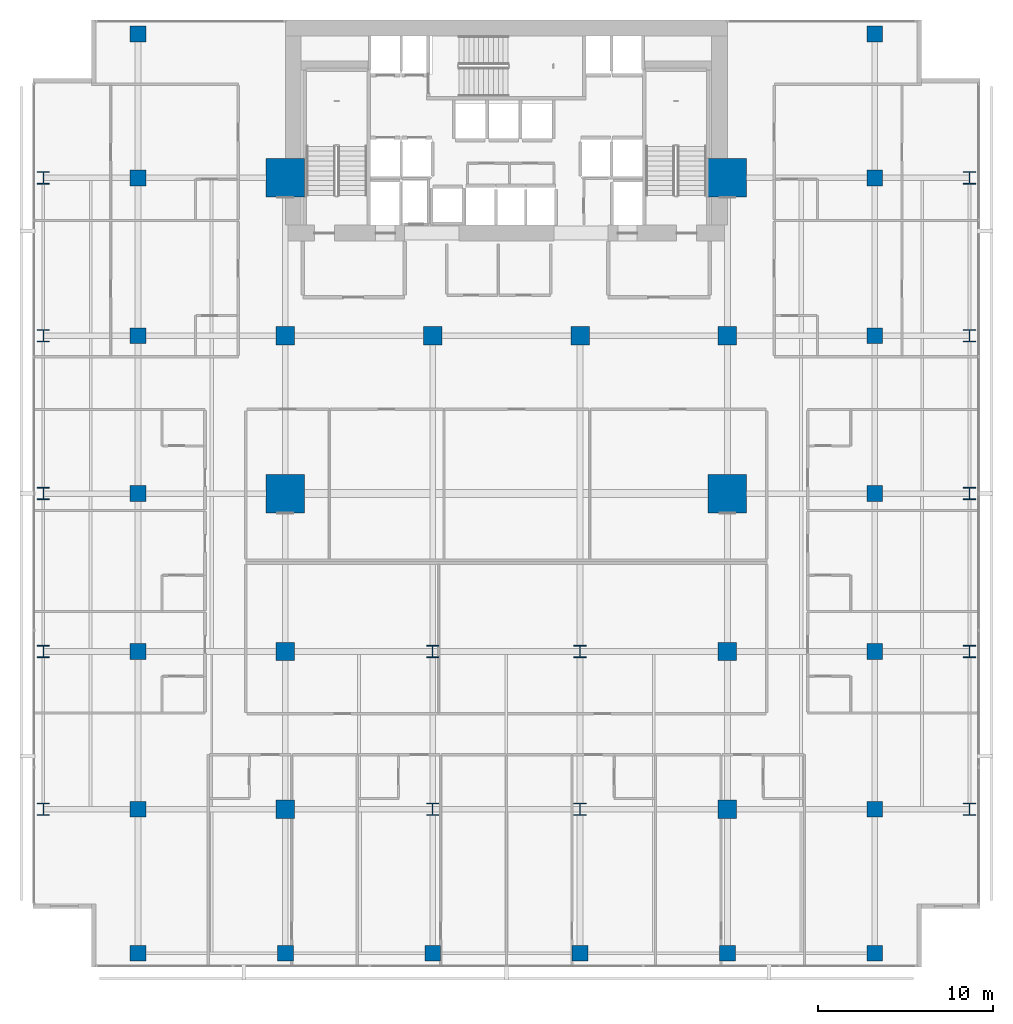
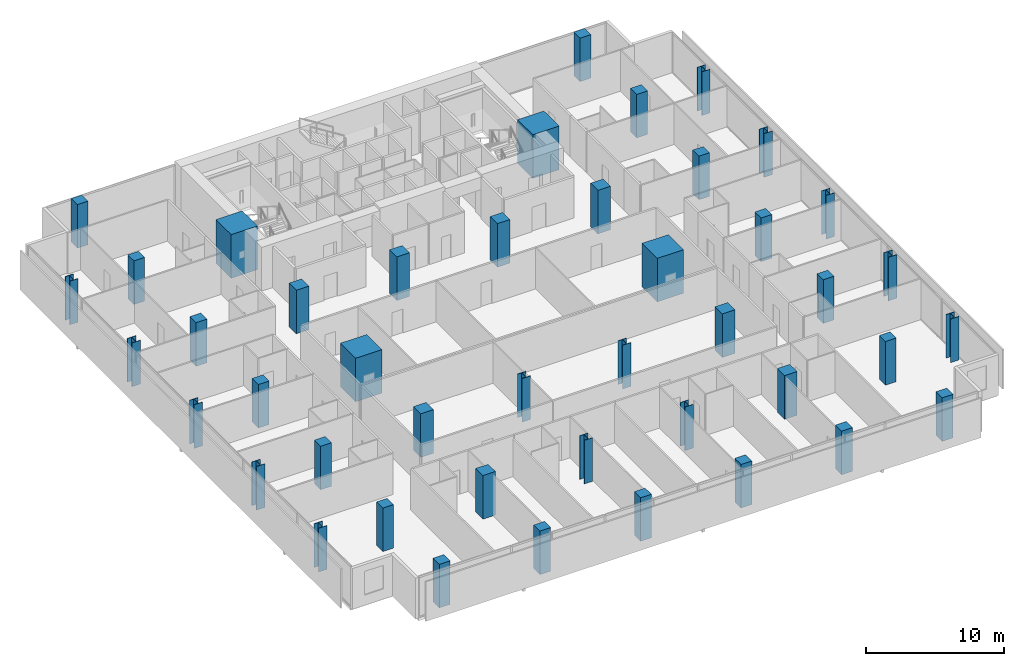
# One storey, part 1 of 40: 44 columns.
"""IFC4 building model written with IfcOpenShell, lengths in metres."""

import ifcopenshell
import ifcopenshell.guid

model = None  # the IFC model being written
_history = None  # IfcOwnerHistory: only IFC2X3 demands one
_inside = {}  # id of a spatial element -> (the spatial element, [elements in it])
_under = {}  # id of a project, library or spatial element -> (it, [spatial elements below it])
_declared = {}  # id of a project -> (the project, [libraries it declares])
_typed = {}  # id of a type object -> (the type object, [elements of that type])
_made_of = {}  # id of a material, layer set ... -> (it, [elements and type objects made of it])


def new_model(schema):
    """Start an empty IFC model of exactly this schema.

    Asked for "IFC4X3", IfcOpenShell would pick the latest addendum, in which some entities
    have other attributes; the version numbers below select the first issue.
    IFC2X3 requires an IfcOwnerHistory on every rooted entity: one is made here for all.
    """
    global model, _history
    if schema == "IFC4X3":
        model = ifcopenshell.file(schema_version=(4, 3, 0, 0))
    else:
        model = ifcopenshell.file(schema=schema)
    _inside.clear()
    _under.clear()
    _declared.clear()
    _typed.clear()
    _made_of.clear()
    _history = None
    if model.schema == "IFC2X3":
        org = make("IfcOrganization", Name="unknown")
        user = make(
            "IfcPersonAndOrganization",
            ThePerson=make("IfcPerson", FamilyName="unknown"),
            TheOrganization=org,
        )
        app = make(
            "IfcApplication",
            ApplicationDeveloper=org,
            Version="unknown",
            ApplicationFullName="unknown",
            ApplicationIdentifier="unknown",
        )
        _history = make(
            "IfcOwnerHistory",
            OwningUser=user,
            OwningApplication=app,
            ChangeAction="ADDED",
            CreationDate=0,
        )
    return model


def make(cls, **values):
    """One entity of the class cls with the attributes given. An attribute that is None is left unset."""
    return model.create_entity(
        cls, **{name: value for name, value in values.items() if value is not None}
    )


def rooted(cls, **values):
    """An entity with a GlobalId (a new one), such as an element, a storey or a relation."""
    return make(cls, GlobalId=ifcopenshell.guid.new(), OwnerHistory=_history, **values)


def si_unit(unit_type, name, prefix=None):
    """IfcSIUnit, for example si_unit("LENGTHUNIT", "METRE", prefix="MILLI")."""
    return make("IfcSIUnit", UnitType=unit_type, Prefix=prefix, Name=name)


def assignment(units):
    """IfcUnitAssignment: the units of a project."""
    return None if units is None else make("IfcUnitAssignment", Units=units)


def point(xyz):
    """IfcCartesianPoint."""
    return None if xyz is None else make("IfcCartesianPoint", Coordinates=xyz)


def direction(xyz):
    """IfcDirection."""
    return None if xyz is None else make("IfcDirection", DirectionRatios=xyz)


def frame(location, z_axis=None, x_axis=None):
    """IfcAxis2Placement3D, a coordinate frame: its origin and axes. An axis left out is left unset."""
    return make(
        "IfcAxis2Placement3D",
        Location=point(location),
        Axis=direction(z_axis),
        RefDirection=direction(x_axis),
    )


def frame_2d(location, x_axis=None):
    """IfcAxis2Placement2D, a coordinate frame in the plane: its origin and x axis."""
    return make(
        "IfcAxis2Placement2D", Location=point(location), RefDirection=direction(x_axis)
    )


def origin():
    """The frame at (0, 0, 0) with its axes left unset."""
    return frame((0.0, 0.0, 0.0))


def origin_2d():
    """The frame at (0, 0) in the plane with its x axis left unset."""
    return frame_2d((0.0, 0.0))


def place(relative_to, where):
    """IfcLocalPlacement: puts the frame where relative to a parent placement (None: the world)."""
    return make(
        "IfcLocalPlacement", PlacementRelTo=relative_to, RelativePlacement=where
    )


def context(
    kind, dimensions, precision=None, world=None, true_north=None, identifier=None
):
    """IfcGeometricRepresentationContext, for example the 3D "Model" context."""
    return make(
        "IfcGeometricRepresentationContext",
        ContextIdentifier=identifier,
        ContextType=kind,
        CoordinateSpaceDimension=dimensions,
        Precision=precision,
        WorldCoordinateSystem=world,
        TrueNorth=true_north,
    )


def subcontext(parent, identifier, kind, view, scale=None):
    """IfcGeometricRepresentationSubContext, for example "Body" below "Model"."""
    return make(
        "IfcGeometricRepresentationSubContext",
        ContextIdentifier=identifier,
        ContextType=kind,
        ParentContext=parent,
        TargetScale=scale,
        TargetView=view,
    )


def project(units=None, contexts=None):
    """IfcProject with its units and contexts."""
    return rooted(
        "IfcProject",
        Name="project",
        RepresentationContexts=contexts,
        UnitsInContext=assignment(units),
    )


def spatial(cls, under=None, at=None, **own):
    """A site, building, storey or space (cls), placed at a placement, below another one or the project."""
    s = rooted(cls, ObjectPlacement=at, **own)
    if under is not None:
        _under.setdefault(under.id(), (under, []))[1].append(s)
    return s


def profile(cls, at=None, kind="AREA", **sizes):
    """A parametric profile (cls). Its sizes go by their IFC names, for example OverallWidth=200.0."""
    return make(cls, ProfileType=kind, Position=at, **sizes)


def rectangle(**sizes):
    """IfcRectangleProfileDef."""
    return profile("IfcRectangleProfileDef", **sizes)


def i_section(**sizes):
    """IfcIShapeProfileDef."""
    return profile("IfcIShapeProfileDef", **sizes)


def extrude(swept, where, along, depth):
    """IfcExtrudedAreaSolid: the profile swept, set in the frame where, extruded along a direction by depth."""
    return make(
        "IfcExtrudedAreaSolid",
        SweptArea=swept,
        Position=where,
        ExtrudedDirection=direction(along),
        Depth=depth,
    )


def shape(context_of_items, identifier, shape_type, items):
    """IfcShapeRepresentation: the items that make up one representation, for example the "Body"."""
    return make(
        "IfcShapeRepresentation",
        ContextOfItems=context_of_items,
        RepresentationIdentifier=identifier,
        RepresentationType=shape_type,
        Items=items,
    )


def material(Name=None, Category=None):
    """IfcMaterial."""
    return make("IfcMaterial", Name=Name, Category=Category)


def material_profile(
    of_material, cross_section, Name=None, Category=None, Priority=None
):
    """IfcMaterialProfile: a cross section and its material."""
    return make(
        "IfcMaterialProfile",
        Name=Name,
        Material=of_material,
        Profile=cross_section,
        Priority=Priority,
        Category=Category,
    )


def profile_set(profiles, Name=None, composite=None):
    """IfcMaterialProfileSet."""
    return make(
        "IfcMaterialProfileSet",
        Name=Name,
        MaterialProfiles=profiles,
        CompositeProfile=composite,
    )


def made_of(thing, what):
    """Note that an element or type object is made of a material, layer set ...; save() writes the relation."""
    if what is not None:
        _made_of.setdefault(what.id(), (what, []))[1].append(thing)
    return thing


def type_object(cls, material=None, **own):
    """A type object (cls), such as IfcWallType, which elements share."""
    return made_of(rooted(cls, **own), material)


def element(
    cls,
    number,
    at=None,
    inside=None,
    cuts=None,
    type_object=None,
    material=None,
    context=None,
    identifier="Body",
    shape_type=None,
    held_by="IfcProductDefinitionShape",
    body=None,
    shapes=None,
    **own,
):
    """One element of the class cls, such as IfcWall. Its Tag is "e" and its number.

    at: its placement. inside: the storey or other place that contains it. cuts: it is an
    opening in that element (IfcRelVoidsElement). A single representation is given by context,
    identifier, shape_type and body (its items); several are given by shapes. held_by: the class
    of the entity that holds the representations. save() writes the other relations.
    """
    e = rooted(cls, Tag="e%d" % number, ObjectPlacement=at, **own)
    if body is not None:
        shapes = [shape(context, identifier, shape_type, body)]
    if shapes is not None:
        e.Representation = make(held_by, Representations=shapes)
    if inside is not None:
        _inside.setdefault(inside.id(), (inside, []))[1].append(e)
    if cuts is not None:
        rooted(
            "IfcRelVoidsElement", RelatingBuildingElement=cuts, RelatedOpeningElement=e
        )
    if type_object is not None:
        _typed.setdefault(type_object.id(), (type_object, []))[1].append(e)
    return made_of(e, material)


def aggregate(whole, parts):
    """IfcRelAggregates: a whole, such as a stair, and the parts it consists of."""
    return rooted("IfcRelAggregates", RelatingObject=whole, RelatedObjects=parts)


def save(model, path):
    """Write the relations noted so far, then the file.

    IfcRelAggregates (storeys below a building ...), IfcRelContainedInSpatialStructure (elements
    in a storey), IfcRelDefinesByType, IfcRelAssociatesMaterial and IfcRelDeclares: one each for
    every whole, place, type object, material and project.
    """
    for whole, parts in _under.values():
        aggregate(whole, parts)
    for where, things in _inside.values():
        rooted(
            "IfcRelContainedInSpatialStructure",
            RelatedElements=things,
            RelatingStructure=where,
        )
    for kind, things in _typed.values():
        rooted("IfcRelDefinesByType", RelatedObjects=things, RelatingType=kind)
    for what, things in _made_of.values():
        rooted("IfcRelAssociatesMaterial", RelatedObjects=things, RelatingMaterial=what)
    for by, libraries in _declared.values():
        rooted("IfcRelDeclares", RelatingContext=by, RelatedDefinitions=libraries)
    model.write(path)


model = new_model("IFC4")

# Units and contexts
model_context = context("Model", 3, precision=1e-05, world=origin(), true_north=direction((0.0, 1.0)))
body_context = subcontext(model_context, "Body", "Model", "MODEL_VIEW")
ifc_project = project(units=[si_unit("LENGTHUNIT", "METRE"), si_unit("AREAUNIT", "SQUARE_METRE"), si_unit("VOLUMEUNIT", "CUBIC_METRE"), si_unit("PLANEANGLEUNIT", "RADIAN"), si_unit("MASSUNIT", "GRAM", prefix="KILO")], contexts=[model_context])

# Site, building, storey
site_placement = place(None, origin())
site = spatial("IfcSite", under=ifc_project, at=site_placement, CompositionType="ELEMENT")
building_placement = place(site_placement, origin())
building = spatial("IfcBuilding", under=site, at=building_placement, Name="Maruvema Waterfront Hotel and Observation Tower", CompositionType="ELEMENT")
storey_placement = place(building_placement, frame((0.0, 0.0, 96.25)))
storey = spatial("IfcBuildingStorey", under=building, at=storey_placement, Name="L23", CompositionType="ELEMENT", Elevation=96.25)

# Columns
ifc_material_1 = material(Name="Concrete C80/95", Category="concrete")
ifc_material_profile_1 = material_profile(ifc_material_1, rectangle(XDim=2.199951171875, YDim=2.199951171875, at=origin_2d()), Name="MC2200x2200")
ifc_profile_set_1 = profile_set([ifc_material_profile_1], Name="Concrete C80/95")
column_type_1 = type_object("IfcColumnType", Name="Continuous Mega-Column MC2200x2200", PredefinedType="COLUMN", material=ifc_profile_set_1)
for number, where, z_axis, x_axis, name in (
    (1, (25.199951171875, 27.0, 0.0), (0.0, 0.0, 1.0), (1.0, 0.0, 0.0), "L23 Continuous Mega-Column MC-01"),
    (2, (50.39990234375, 27.0, 0.0), (0.0, 0.0, 1.0), (1.0, 0.0, 0.0), "L23 Continuous Mega-Column MC-02"),
    (3, (25.199951171875, 45.0, 0.0), (0.0, 0.0, 1.0), (1.0, 0.0, 0.0), "L23 Continuous Mega-Column MC-03"),
    (4, (50.39990234375, 45.0, 0.0), (0.0, 0.0, 1.0), (1.0, 0.0, 0.0), "L23 Continuous Mega-Column MC-04"),
):
    element("IfcColumn", number, at=place(storey_placement, frame(where, z_axis=z_axis, x_axis=x_axis)), inside=storey, type_object=column_type_1, Name=name, PredefinedType="COLUMN", context=body_context, shape_type="SweptSolid", body=[
        extrude(rectangle(XDim=2.199951171875, YDim=2.199951171875, at=origin_2d()), origin(), (0.0, 0.0, 1.0), 3.85009765625),
    ])
ifc_material_2 = material(Name="Concrete C60/75", Category="concrete")
ifc_material_profile_2 = material_profile(ifc_material_2, rectangle(XDim=1.050048828125, YDim=1.050048828125, at=origin_2d()), Name="RC1050x1050")
ifc_profile_set_2 = profile_set([ifc_material_profile_2], Name="Concrete C60/75")
column_type_2 = type_object("IfcColumnType", Name="Reinforced Concrete Column RC1050x1050", PredefinedType="COLUMN", material=ifc_profile_set_2)
for number, where, z_axis, x_axis, name in (
    (5, (25.199951171875, 36.0, 0.0), (0.0, 0.0, 1.0), (1.0, 0.0, 0.0), "L23 Column C-4E"),
    (6, (33.60009765625, 36.0, 0.0), (0.0, 0.0, 1.0), (1.0, 0.0, 0.0), "L23 Column C-5E"),
    (7, (42.0, 36.0, 0.0), (0.0, 0.0, 1.0), (1.0, 0.0, 0.0), "L23 Column C-6E"),
    (8, (50.39990234375, 36.0, 0.0), (0.0, 0.0, 1.0), (1.0, 0.0, 0.0), "L23 Column C-7E"),
    (9, (25.199951171875, 18.0, 0.0), (0.0, 0.0, 1.0), (1.0, 0.0, 0.0), "L23 Column C-4C"),
    (10, (50.39990234375, 18.0, 0.0), (0.0, 0.0, 1.0), (1.0, 0.0, 0.0), "L23 Column C-7C"),
    (11, (25.199951171875, 9.0, 0.0), (0.0, 0.0, 1.0), (1.0, 0.0, 0.0), "L23 Column C-4B"),
    (12, (50.39990234375, 9.0, 0.0), (0.0, 0.0, 1.0), (1.0, 0.0, 0.0), "L23 Column C-7B"),
):
    element("IfcColumn", number, at=place(storey_placement, frame(where, z_axis=z_axis, x_axis=x_axis)), inside=storey, type_object=column_type_2, Name=name, PredefinedType="COLUMN", context=body_context, shape_type="SweptSolid", body=[
        extrude(rectangle(XDim=1.050048828125, YDim=1.050048828125, at=origin_2d()), origin(), (0.0, 0.0, 1.0), 3.85009765625),
    ])
ifc_material_3 = material(Name="Concrete C60/75", Category="concrete")
ifc_material_profile_3 = material_profile(ifc_material_3, rectangle(XDim=0.89990234375, YDim=0.89990234375, at=origin_2d()), Name="RC900x900")
ifc_profile_set_3 = profile_set([ifc_material_profile_3], Name="Concrete C60/75")
column_type_3 = type_object("IfcColumnType", Name="Reinforced Concrete Column RC900x900", PredefinedType="COLUMN", material=ifc_profile_set_3)
for number, where, z_axis, x_axis, name in (
    (13, (16.800048828125, 9.0, 0.0), (0.0, 0.0, 1.0), (1.0, 0.0, 0.0), "L23 Column C-3Y9"),
    (14, (58.800048828125, 9.0, 0.0), (0.0, 0.0, 1.0), (1.0, 0.0, 0.0), "L23 Column C-8Y9"),
    (15, (16.800048828125, 18.0, 0.0), (0.0, 0.0, 1.0), (1.0, 0.0, 0.0), "L23 Column C-3Y18"),
    (16, (58.800048828125, 18.0, 0.0), (0.0, 0.0, 1.0), (1.0, 0.0, 0.0), "L23 Column C-8Y18"),
    (17, (16.800048828125, 27.0, 0.0), (0.0, 0.0, 1.0), (1.0, 0.0, 0.0), "L23 Column C-3Y27"),
    (18, (58.800048828125, 27.0, 0.0), (0.0, 0.0, 1.0), (1.0, 0.0, 0.0), "L23 Column C-8Y27"),
    (19, (16.800048828125, 36.0, 0.0), (0.0, 0.0, 1.0), (1.0, 0.0, 0.0), "L23 Column C-3Y36"),
    (20, (58.800048828125, 36.0, 0.0), (0.0, 0.0, 1.0), (1.0, 0.0, 0.0), "L23 Column C-8Y36"),
    (21, (16.800048828125, 45.0, 0.0), (0.0, 0.0, 1.0), (1.0, 0.0, 0.0), "L23 Column C-3Y45"),
    (22, (58.800048828125, 45.0, 0.0), (0.0, 0.0, 1.0), (1.0, 0.0, 0.0), "L23 Column C-8Y45"),
    (23, (16.800048828125, 0.800048828125, 0.0), (0.0, 0.0, 1.0), (1.0, 0.0, 0.0), "L23 Column C-3A"),
    (24, (25.199951171875, 0.800048828125, 0.0), (0.0, 0.0, 1.0), (1.0, 0.0, 0.0), "L23 Column C-4A"),
    (25, (33.60009765625, 0.800048828125, 0.0), (0.0, 0.0, 1.0), (1.0, 0.0, 0.0), "L23 Column C-5A"),
    (26, (42.0, 0.800048828125, 0.0), (0.0, 0.0, 1.0), (1.0, 0.0, 0.0), "L23 Column C-6A"),
    (27, (50.39990234375, 0.800048828125, 0.0), (0.0, 0.0, 1.0), (1.0, 0.0, 0.0), "L23 Column C-7A"),
    (28, (58.800048828125, 0.800048828125, 0.0), (0.0, 0.0, 1.0), (1.0, 0.0, 0.0), "L23 Column C-8A"),
    (29, (16.800048828125, 53.199951171875, 0.0), (0.0, 0.0, 1.0), (1.0, 0.0, 0.0), "L23 Column C-3G"),
    (30, (58.800048828125, 53.199951171875, 0.0), (0.0, 0.0, 1.0), (1.0, 0.0, 0.0), "L23 Column C-8G"),
):
    element("IfcColumn", number, at=place(storey_placement, frame(where, z_axis=z_axis, x_axis=x_axis)), inside=storey, type_object=column_type_3, Name=name, PredefinedType="COLUMN", context=body_context, shape_type="SweptSolid", body=[
        extrude(rectangle(XDim=0.89990234375, YDim=0.89990234375, at=origin_2d()), origin(), (0.0, 0.0, 1.0), 3.85009765625),
    ])
ifc_material_4 = material(Name="Steel ABNT NBR 7007 AR 415 (ASTM A572 Grade 50)", Category="steel")
ifc_material_profile_4 = material_profile(ifc_material_4, i_section(OverallWidth=0.699951171875, OverallDepth=0.699951171875, WebThickness=0.028076171875, FlangeThickness=0.0439453125, at=origin_2d()), Name="CVS700x436")
ifc_profile_set_4 = profile_set([ifc_material_profile_4], Name="Steel ABNT NBR 7007 AR 415 (ASTM A572 Grade 50)")
column_type_4 = type_object("IfcColumnType", Name="Structural Steel Column CVS700x436", PredefinedType="COLUMN", material=ifc_profile_set_4)
for number, where, z_axis, x_axis, name in (
    (31, (33.60009765625, 9.0, 0.0), (0.0, 0.0, 1.0), (1.0, 0.0, 0.0), "L23 Column C-5B"),
    (32, (42.0, 9.0, 0.0), (0.0, 0.0, 1.0), (1.0, 0.0, 0.0), "L23 Column C-6B"),
    (33, (33.60009765625, 18.0, 0.0), (0.0, 0.0, 1.0), (1.0, 0.0, 0.0), "L23 Column C-5C"),
    (34, (42.0, 18.0, 0.0), (0.0, 0.0, 1.0), (1.0, 0.0, 0.0), "L23 Column C-6C"),
    (35, (11.39990234375, 9.0, 0.0), (0.0, 0.0, 1.0), (1.0, 0.0, 0.0), "L23 Column C-Z1W9"),
    (36, (64.199951171875, 9.0, 0.0), (0.0, 0.0, 1.0), (1.0, 0.0, 0.0), "L23 Column C-Z1E9"),
    (37, (11.39990234375, 18.0, 0.0), (0.0, 0.0, 1.0), (1.0, 0.0, 0.0), "L23 Column C-Z1W18"),
    (38, (64.199951171875, 18.0, 0.0), (0.0, 0.0, 1.0), (1.0, 0.0, 0.0), "L23 Column C-Z1E18"),
    (39, (11.39990234375, 27.0, 0.0), (0.0, 0.0, 1.0), (1.0, 0.0, 0.0), "L23 Column C-Z1W27"),
    (40, (64.199951171875, 27.0, 0.0), (0.0, 0.0, 1.0), (1.0, 0.0, 0.0), "L23 Column C-Z1E27"),
    (41, (11.39990234375, 36.0, 0.0), (0.0, 0.0, 1.0), (1.0, 0.0, 0.0), "L23 Column C-Z1W36"),
    (42, (64.199951171875, 36.0, 0.0), (0.0, 0.0, 1.0), (1.0, 0.0, 0.0), "L23 Column C-Z1E36"),
    (43, (11.39990234375, 45.0, 0.0), (0.0, 0.0, 1.0), (1.0, 0.0, 0.0), "L23 Column C-Z1W45"),
    (44, (64.199951171875, 45.0, 0.0), (0.0, 0.0, 1.0), (1.0, 0.0, 0.0), "L23 Column C-Z1E45"),
):
    element("IfcColumn", number, at=place(storey_placement, frame(where, z_axis=z_axis, x_axis=x_axis)), inside=storey, type_object=column_type_4, Name=name, PredefinedType="COLUMN", context=body_context, shape_type="SweptSolid", body=[
        extrude(i_section(OverallWidth=0.699951171875, OverallDepth=0.699951171875, WebThickness=0.028076171875, FlangeThickness=0.0439453125, at=origin_2d()), origin(), (0.0, 0.0, 1.0), 3.85009765625),
    ])

save(model, "model.ifc")
